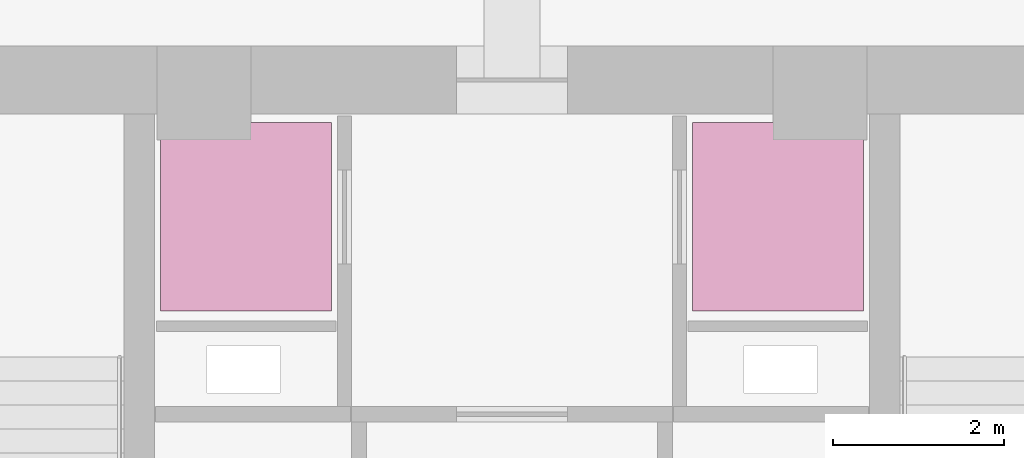
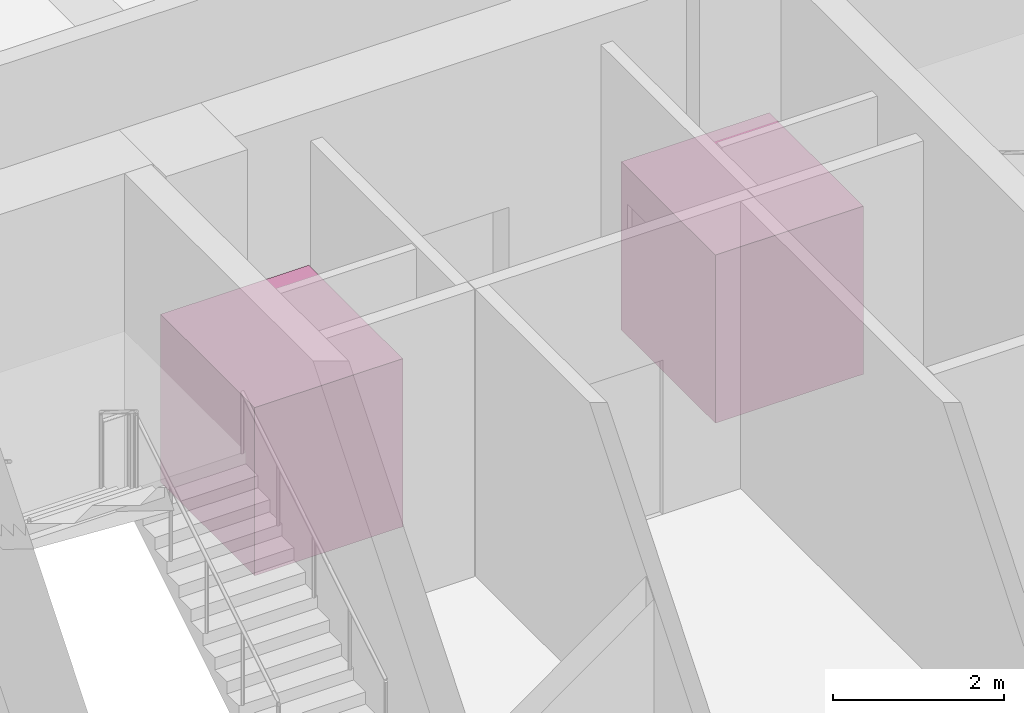
# One storey, part 9 of 9: 2 transport elements.
"""IFC4 building model written with IfcOpenShell, lengths in metres."""

import ifcopenshell
import ifcopenshell.guid

model = None  # the IFC model being written
_history = None  # IfcOwnerHistory: only IFC2X3 demands one
_inside = {}  # id of a spatial element -> (the spatial element, [elements in it])
_under = {}  # id of a project, library or spatial element -> (it, [spatial elements below it])
_declared = {}  # id of a project -> (the project, [libraries it declares])
_typed = {}  # id of a type object -> (the type object, [elements of that type])
_made_of = {}  # id of a material, layer set ... -> (it, [elements and type objects made of it])


def new_model(schema):
    """Start an empty IFC model of exactly this schema.

    Asked for "IFC4X3", IfcOpenShell would pick the latest addendum, in which some entities
    have other attributes; the version numbers below select the first issue.
    IFC2X3 requires an IfcOwnerHistory on every rooted entity: one is made here for all.
    """
    global model, _history
    if schema == "IFC4X3":
        model = ifcopenshell.file(schema_version=(4, 3, 0, 0))
    else:
        model = ifcopenshell.file(schema=schema)
    _inside.clear()
    _under.clear()
    _declared.clear()
    _typed.clear()
    _made_of.clear()
    _history = None
    if model.schema == "IFC2X3":
        org = make("IfcOrganization", Name="unknown")
        user = make(
            "IfcPersonAndOrganization",
            ThePerson=make("IfcPerson", FamilyName="unknown"),
            TheOrganization=org,
        )
        app = make(
            "IfcApplication",
            ApplicationDeveloper=org,
            Version="unknown",
            ApplicationFullName="unknown",
            ApplicationIdentifier="unknown",
        )
        _history = make(
            "IfcOwnerHistory",
            OwningUser=user,
            OwningApplication=app,
            ChangeAction="ADDED",
            CreationDate=0,
        )
    return model


def make(cls, **values):
    """One entity of the class cls with the attributes given. An attribute that is None is left unset."""
    return model.create_entity(
        cls, **{name: value for name, value in values.items() if value is not None}
    )


def rooted(cls, **values):
    """An entity with a GlobalId (a new one), such as an element, a storey or a relation."""
    return make(cls, GlobalId=ifcopenshell.guid.new(), OwnerHistory=_history, **values)


def si_unit(unit_type, name, prefix=None):
    """IfcSIUnit, for example si_unit("LENGTHUNIT", "METRE", prefix="MILLI")."""
    return make("IfcSIUnit", UnitType=unit_type, Prefix=prefix, Name=name)


def assignment(units):
    """IfcUnitAssignment: the units of a project."""
    return None if units is None else make("IfcUnitAssignment", Units=units)


def point(xyz):
    """IfcCartesianPoint."""
    return None if xyz is None else make("IfcCartesianPoint", Coordinates=xyz)


def direction(xyz):
    """IfcDirection."""
    return None if xyz is None else make("IfcDirection", DirectionRatios=xyz)


def frame(location, z_axis=None, x_axis=None):
    """IfcAxis2Placement3D, a coordinate frame: its origin and axes. An axis left out is left unset."""
    return make(
        "IfcAxis2Placement3D",
        Location=point(location),
        Axis=direction(z_axis),
        RefDirection=direction(x_axis),
    )


def frame_2d(location, x_axis=None):
    """IfcAxis2Placement2D, a coordinate frame in the plane: its origin and x axis."""
    return make(
        "IfcAxis2Placement2D", Location=point(location), RefDirection=direction(x_axis)
    )


def origin():
    """The frame at (0, 0, 0) with its axes left unset."""
    return frame((0.0, 0.0, 0.0))


def origin_2d():
    """The frame at (0, 0) in the plane with its x axis left unset."""
    return frame_2d((0.0, 0.0))


def place(relative_to, where):
    """IfcLocalPlacement: puts the frame where relative to a parent placement (None: the world)."""
    return make(
        "IfcLocalPlacement", PlacementRelTo=relative_to, RelativePlacement=where
    )


def context(
    kind, dimensions, precision=None, world=None, true_north=None, identifier=None
):
    """IfcGeometricRepresentationContext, for example the 3D "Model" context."""
    return make(
        "IfcGeometricRepresentationContext",
        ContextIdentifier=identifier,
        ContextType=kind,
        CoordinateSpaceDimension=dimensions,
        Precision=precision,
        WorldCoordinateSystem=world,
        TrueNorth=true_north,
    )


def subcontext(parent, identifier, kind, view, scale=None):
    """IfcGeometricRepresentationSubContext, for example "Body" below "Model"."""
    return make(
        "IfcGeometricRepresentationSubContext",
        ContextIdentifier=identifier,
        ContextType=kind,
        ParentContext=parent,
        TargetScale=scale,
        TargetView=view,
    )


def project(units=None, contexts=None):
    """IfcProject with its units and contexts."""
    return rooted(
        "IfcProject",
        Name="project",
        RepresentationContexts=contexts,
        UnitsInContext=assignment(units),
    )


def spatial(cls, under=None, at=None, **own):
    """A site, building, storey or space (cls), placed at a placement, below another one or the project."""
    s = rooted(cls, ObjectPlacement=at, **own)
    if under is not None:
        _under.setdefault(under.id(), (under, []))[1].append(s)
    return s


def profile(cls, at=None, kind="AREA", **sizes):
    """A parametric profile (cls). Its sizes go by their IFC names, for example OverallWidth=200.0."""
    return make(cls, ProfileType=kind, Position=at, **sizes)


def rectangle(**sizes):
    """IfcRectangleProfileDef."""
    return profile("IfcRectangleProfileDef", **sizes)


def extrude(swept, where, along, depth):
    """IfcExtrudedAreaSolid: the profile swept, set in the frame where, extruded along a direction by depth."""
    return make(
        "IfcExtrudedAreaSolid",
        SweptArea=swept,
        Position=where,
        ExtrudedDirection=direction(along),
        Depth=depth,
    )


def shape(context_of_items, identifier, shape_type, items):
    """IfcShapeRepresentation: the items that make up one representation, for example the "Body"."""
    return make(
        "IfcShapeRepresentation",
        ContextOfItems=context_of_items,
        RepresentationIdentifier=identifier,
        RepresentationType=shape_type,
        Items=items,
    )


def source(mapping_origin, context_of_items, identifier, shape_type, items):
    """IfcRepresentationMap: a shape defined once, which mapped items show again and again."""
    return make(
        "IfcRepresentationMap",
        MappingOrigin=mapping_origin,
        MappedRepresentation=shape(context_of_items, identifier, shape_type, items),
    )


def transform(
    local_origin,
    x_axis=None,
    y_axis=None,
    z_axis=None,
    scale=None,
    scale2=None,
    scale3=None,
    uniform=True,
):
    """IfcCartesianTransformationOperator3D, or its non-uniform kind. x_axis, y_axis, z_axis: its Axis1, 2, 3."""
    if uniform:
        return make(
            "IfcCartesianTransformationOperator3D",
            Axis1=direction(x_axis),
            Axis2=direction(y_axis),
            LocalOrigin=point(local_origin),
            Scale=scale,
            Axis3=direction(z_axis),
        )
    return make(
        "IfcCartesianTransformationOperator3DnonUniform",
        Axis1=direction(x_axis),
        Axis2=direction(y_axis),
        LocalOrigin=point(local_origin),
        Scale=scale,
        Axis3=direction(z_axis),
        Scale2=scale2,
        Scale3=scale3,
    )


def mapped(mapping_source, mapping_target):
    """IfcMappedItem: shows the shape of a source again, moved by a transform."""
    return make(
        "IfcMappedItem", MappingSource=mapping_source, MappingTarget=mapping_target
    )


def material(Name=None, Category=None):
    """IfcMaterial."""
    return make("IfcMaterial", Name=Name, Category=Category)


def made_of(thing, what):
    """Note that an element or type object is made of a material, layer set ...; save() writes the relation."""
    if what is not None:
        _made_of.setdefault(what.id(), (what, []))[1].append(thing)
    return thing


def type_object(cls, material=None, **own):
    """A type object (cls), such as IfcWallType, which elements share."""
    return made_of(rooted(cls, **own), material)


def element(
    cls,
    number,
    at=None,
    inside=None,
    cuts=None,
    type_object=None,
    material=None,
    context=None,
    identifier="Body",
    shape_type=None,
    held_by="IfcProductDefinitionShape",
    body=None,
    shapes=None,
    **own,
):
    """One element of the class cls, such as IfcWall. Its Tag is "e" and its number.

    at: its placement. inside: the storey or other place that contains it. cuts: it is an
    opening in that element (IfcRelVoidsElement). A single representation is given by context,
    identifier, shape_type and body (its items); several are given by shapes. held_by: the class
    of the entity that holds the representations. save() writes the other relations.
    """
    e = rooted(cls, Tag="e%d" % number, ObjectPlacement=at, **own)
    if body is not None:
        shapes = [shape(context, identifier, shape_type, body)]
    if shapes is not None:
        e.Representation = make(held_by, Representations=shapes)
    if inside is not None:
        _inside.setdefault(inside.id(), (inside, []))[1].append(e)
    if cuts is not None:
        rooted(
            "IfcRelVoidsElement", RelatingBuildingElement=cuts, RelatedOpeningElement=e
        )
    if type_object is not None:
        _typed.setdefault(type_object.id(), (type_object, []))[1].append(e)
    return made_of(e, material)


def aggregate(whole, parts):
    """IfcRelAggregates: a whole, such as a stair, and the parts it consists of."""
    return rooted("IfcRelAggregates", RelatingObject=whole, RelatedObjects=parts)


def save(model, path):
    """Write the relations noted so far, then the file.

    IfcRelAggregates (storeys below a building ...), IfcRelContainedInSpatialStructure (elements
    in a storey), IfcRelDefinesByType, IfcRelAssociatesMaterial and IfcRelDeclares: one each for
    every whole, place, type object, material and project.
    """
    for whole, parts in _under.values():
        aggregate(whole, parts)
    for where, things in _inside.values():
        rooted(
            "IfcRelContainedInSpatialStructure",
            RelatedElements=things,
            RelatingStructure=where,
        )
    for kind, things in _typed.values():
        rooted("IfcRelDefinesByType", RelatedObjects=things, RelatingType=kind)
    for what, things in _made_of.values():
        rooted("IfcRelAssociatesMaterial", RelatedObjects=things, RelatingMaterial=what)
    for by, libraries in _declared.values():
        rooted("IfcRelDeclares", RelatingContext=by, RelatedDefinitions=libraries)
    model.write(path)


model = new_model("IFC4")

# Units and contexts
model_context = context("Model", 3, precision=1e-05, world=origin(), true_north=direction((0.0, 1.0)))
body_context = subcontext(model_context, "Body", "Model", "MODEL_VIEW")
ifc_project = project(units=[si_unit("LENGTHUNIT", "METRE"), si_unit("AREAUNIT", "SQUARE_METRE"), si_unit("VOLUMEUNIT", "CUBIC_METRE"), si_unit("PLANEANGLEUNIT", "RADIAN"), si_unit("MASSUNIT", "GRAM", prefix="KILO"), si_unit("THERMODYNAMICTEMPERATUREUNIT", "KELVIN")], contexts=[model_context])

# Site, building, storey
site_placement = place(None, origin())
site = spatial("IfcSite", under=ifc_project, at=site_placement, CompositionType="ELEMENT")
building_placement = place(site_placement, origin())
building = spatial("IfcBuilding", under=site, at=building_placement, Name="Kosmvard Interchange Tower", CompositionType="ELEMENT")
storey_placement = place(building_placement, frame((0.0, 0.0, -4.5)))
storey = spatial("IfcBuildingStorey", under=building, at=storey_placement, Name="B01", CompositionType="ELEMENT", Elevation=-4.5)

# Transport elements
ifc_material = material(Name="Steel S355", Category="steel")
transport_element_type = type_object("IfcTransportElementType", Name="Express Observation Shuttle Lift Car 2000x2200", PredefinedType="ELEVATOR", material=ifc_material)
shared_shape = source(origin(), body_context, "Body", "SweptSolid", [
    extrude(rectangle(XDim=2.0, YDim=2.199951171875, at=origin_2d()), origin(), (0.0, 0.0, 1.0), 2.39990234375),
])
for number, where, z_axis, x_axis, name in (
    (1, (-3.110107421875, 6.800048828125, 0.0), (0.0, 0.0, 1.0), (1.0, 0.0, 0.0), "Observation Shuttle Lift OBS-1"),
    (2, (3.110107421875, 6.800048828125, 0.0), (0.0, 0.0, 1.0), (1.0, 0.0, 0.0), "Observation Shuttle Lift OBS-2"),
):
    element("IfcTransportElement", number, at=place(storey_placement, frame(where, z_axis=z_axis, x_axis=x_axis)), inside=storey, type_object=transport_element_type, Name=name, PredefinedType="ELEVATOR", context=body_context, shape_type="MappedRepresentation", body=[
        mapped(shared_shape, transform((0.0, 0.0, 0.0), scale=1.0)),
    ])

save(model, "model.ifc")
